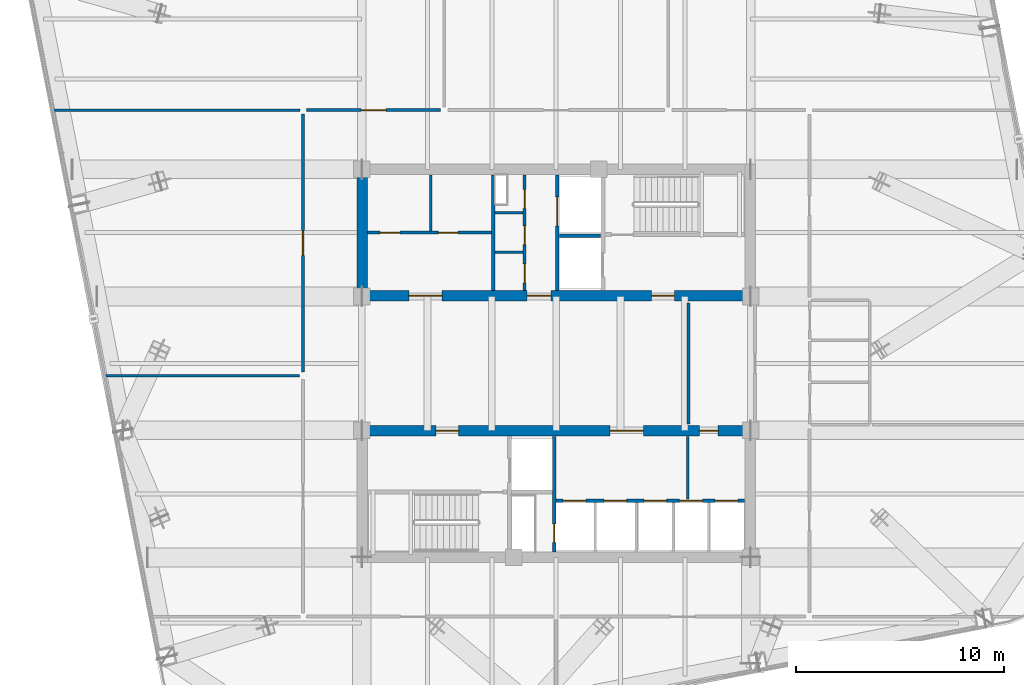
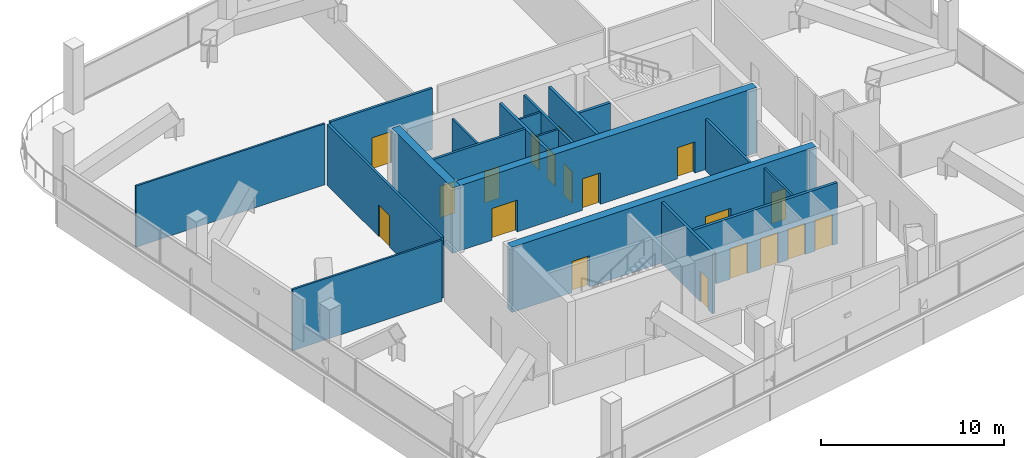
# One storey, part 21 of 26: 20 doors, 19 walls, 20 openings.
"""IFC4 building model written with IfcOpenShell, lengths in metres."""

from ifc_helpers import new_model, si_unit, direction, frame, frame_2d, origin, place, context, subcontext, project, spatial, rectangle, extrude, material, layer, layer_set, type_object, element, fill, save


model = new_model("IFC4")

# Units and contexts
model_context = context("Model", 3, precision=1e-05, world=origin(), true_north=direction((0.0, 1.0)))
body_context = subcontext(model_context, "Body", "Model", "MODEL_VIEW")
ifc_project = project(units=[si_unit("LENGTHUNIT", "METRE"), si_unit("AREAUNIT", "SQUARE_METRE"), si_unit("VOLUMEUNIT", "CUBIC_METRE"), si_unit("PLANEANGLEUNIT", "RADIAN"), si_unit("MASSUNIT", "GRAM", prefix="KILO")], contexts=[model_context])

# Site, building, storey
site_placement = place(None, origin())
site = spatial("IfcSite", under=ifc_project, at=site_placement, CompositionType="ELEMENT")
building_placement = place(site_placement, origin())
building = spatial("IfcBuilding", under=site, at=building_placement, Name="Qhalaya Broadcast Tower", CompositionType="ELEMENT")
storey_placement = place(building_placement, frame((0.0, 0.0, 140.25)))
storey = spatial("IfcBuildingStorey", under=building, at=storey_placement, Name="L41", CompositionType="ELEMENT", Elevation=140.25)

# Wall, openings, doors
ifc_material_1 = material(Name="Gypsum Acoustic Partition")
ifc_layer_1 = layer(ifc_material_1, 0.14990234375, Name="Gypsum Acoustic Partition")
ifc_layer_set_1 = layer_set([ifc_layer_1], Name="Gypsum Acoustic Partition")
wall_type_1 = type_object("IfcWallType", Name="Corridor & Tenancy Acoustic Partition 150", PredefinedType="PARTITIONING", material=ifc_layer_set_1)
wall_1_placement = place(storey_placement, frame((-1.52001953125, 4.1201171875, 0.0), z_axis=(0.0, 0.0, 1.0), x_axis=(0.0, 1.0, 0.0)))
wall_1 = element("IfcWall", 1, at=wall_1_placement, inside=storey, type_object=wall_type_1, Name="L41 Partition Wall NCW-SVL", PredefinedType="PARTITIONING", context=body_context, shape_type="SweptSolid", body=[
    extrude(rectangle(XDim=5.559814453125, YDim=0.14990234375, at=frame_2d((2.77978515625, 0.0))), origin(), (0.0, 0.0, 1.0), 4.070068359375),
])
opening_1_placement = place(wall_1_placement, frame((3.949951171875, 0.0, 0.0)))
opening_1 = element("IfcOpeningElement", 2, at=opening_1_placement, cuts=wall_1, Name="Opening D06", PredefinedType="OPENING", context=body_context, shape_type="SweptSolid", body=[
    extrude(rectangle(XDim=0.89990234375, YDim=2.050048828125, at=frame_2d((0.449951171875, 1.02490234375))), frame((0.0, 0.0869140625, 0.0), z_axis=(0.0, -1.0, 0.0), x_axis=(1.0, 0.0, 0.0)), (0.0, 0.0, 1.0), 0.173828125),
])
opening_2_placement = place(wall_1_placement, frame((2.199951171875, 0.0, 0.0)))
opening_2 = element("IfcOpeningElement", 3, at=opening_2_placement, cuts=wall_1, Name="Opening D06", PredefinedType="OPENING", context=body_context, shape_type="SweptSolid", body=[
    extrude(rectangle(XDim=0.89990234375, YDim=2.050048828125, at=frame_2d((0.449951171875, 1.02490234375))), frame((0.0, 0.0869140625, 0.0), z_axis=(0.0, -1.0, 0.0), x_axis=(1.0, 0.0, 0.0)), (0.0, 0.0, 1.0), 0.173828125),
])
opening_3_placement = place(wall_1_placement, frame((0.35009765625, 0.0, 0.0)))
opening_3 = element("IfcOpeningElement", 4, at=opening_3_placement, cuts=wall_1, Name="Opening D12", PredefinedType="OPENING", context=body_context, shape_type="SweptSolid", body=[
    extrude(rectangle(XDim=0.919921875, YDim=2.10009765625, at=frame_2d((0.4599609375, 1.050048828125))), frame((0.0, 0.0869140625, 0.0), z_axis=(0.0, -1.0, 0.0), x_axis=(1.0, 0.0, 0.0)), (0.0, 0.0, 1.0), 0.173828125),
])
ifc_material_2 = material(Name="Timber Veneer Acoustic Door", Category="wood")
door_type_1 = type_object("IfcDoorType", Name="Accessible WC & Restroom Door D12", OperationType="NOTDEFINED", PredefinedType="DOOR", material=ifc_material_2)
door_1_placement = place(opening_3_placement, origin())
door_1 = element("IfcDoor", 5, at=door_1_placement, inside=storey, type_object=door_type_1, Name="L41 Door D-NCWC", OperationType="SINGLE_SWING_RIGHT", OverallHeight=2.10009765625, OverallWidth=0.919921875, PredefinedType="DOOR", context=body_context, shape_type="SweptSolid", body=[
    extrude(rectangle(XDim=0.919921875, YDim=2.10009765625, at=frame_2d((0.4599609375, 1.050048828125))), frame((0.0, 0.02490234375, 0.0), z_axis=(0.0, -1.0, 0.0), x_axis=(1.0, 0.0, 0.0)), (0.0, 0.0, 1.0), 0.050048828125),
])
fill(opening_3, door_1)
ifc_material_3 = material(Name="Fire-Rated Steel Door", Category="steel")
door_type_2 = type_object("IfcDoorType", Name="Riser & Electrical Shaft Access Door D06", OperationType="NOTDEFINED", PredefinedType="DOOR", material=ifc_material_3)
door_2_placement = place(opening_1_placement, origin())
door_2 = element("IfcDoor", 6, at=door_2_placement, inside=storey, type_object=door_type_2, Name="L41 Riser Shaft Access Door D-NRSR", OperationType="SINGLE_SWING_RIGHT", OverallHeight=2.050048828125, OverallWidth=0.89990234375, PredefinedType="DOOR", context=body_context, shape_type="SweptSolid", body=[
    extrude(rectangle(XDim=0.89990234375, YDim=2.050048828125, at=frame_2d((0.449951171875, 1.02490234375))), frame((0.0, 0.02490234375, 0.0), z_axis=(0.0, -1.0, 0.0), x_axis=(1.0, 0.0, 0.0)), (0.0, 0.0, 1.0), 0.050048828125),
])
fill(opening_1, door_2)
door_3_placement = place(opening_2_placement, origin())
door_3 = element("IfcDoor", 7, at=door_3_placement, inside=storey, type_object=door_type_2, Name="L41 Door D-NITR", OperationType="SINGLE_SWING_LEFT", OverallHeight=2.050048828125, OverallWidth=0.89990234375, PredefinedType="DOOR", context=body_context, shape_type="SweptSolid", body=[
    extrude(rectangle(XDim=0.89990234375, YDim=2.050048828125, at=frame_2d((0.449951171875, 1.02490234375))), frame((0.0, 0.02490234375, 0.0), z_axis=(0.0, -1.0, 0.0), x_axis=(1.0, 0.0, 0.0)), (0.0, 0.0, 1.0), 0.050048828125),
])
fill(opening_2, door_3)

wall_2_placement = place(storey_placement, frame((-9.080078125, 6.89990234375, 0.0), z_axis=(0.0, 0.0, 1.0), x_axis=(1.0, 0.0, 0.0)))
wall_2 = element("IfcWall", 8, at=wall_2_placement, inside=storey, type_object=wall_type_1, Name="L41 Partition Wall NCW-REC1", PredefinedType="PARTITIONING", context=body_context, shape_type="SweptSolid", body=[
    extrude(rectangle(XDim=5.9599609375, YDim=0.14990234375, at=frame_2d((2.97998046875, 0.0))), origin(), (0.0, 0.0, 1.0), 4.070068359375),
])
opening_4_placement = place(wall_2_placement, frame((0.60009765625, 0.0, 0.0)))
opening_4 = element("IfcOpeningElement", 9, at=opening_4_placement, cuts=wall_2, Name="Opening D10", PredefinedType="OPENING", context=body_context, shape_type="SweptSolid", body=[
    extrude(rectangle(XDim=0.949951171875, YDim=2.10009765625, at=frame_2d((0.47509765625, 1.050048828125))), frame((0.0, 0.0869140625, 0.0), z_axis=(0.0, -1.0, 0.0), x_axis=(1.0, 0.0, 0.0)), (0.0, 0.0, 1.0), 0.173828125),
])
opening_5_placement = place(wall_2_placement, frame((3.39990234375, 0.0, 0.0)))
opening_5 = element("IfcOpeningElement", 10, at=opening_5_placement, cuts=wall_2, Name="Opening D10", PredefinedType="OPENING", context=body_context, shape_type="SweptSolid", body=[
    extrude(rectangle(XDim=0.949951171875, YDim=2.10009765625, at=frame_2d((0.47509765625, 1.050048828125))), frame((0.0, 0.0869140625, 0.0), z_axis=(0.0, -1.0, 0.0), x_axis=(1.0, 0.0, 0.0)), (0.0, 0.0, 1.0), 0.173828125),
])
door_type_3 = type_object("IfcDoorType", Name="Cellular Office & Edit Booth Door D10", OperationType="NOTDEFINED", PredefinedType="DOOR", material=ifc_material_2)
door_4_placement = place(opening_4_placement, origin())
door_4 = element("IfcDoor", 11, at=door_4_placement, inside=storey, type_object=door_type_3, Name="L41 Door D-NREC1", OperationType="SINGLE_SWING_LEFT", OverallHeight=2.10009765625, OverallWidth=0.949951171875, PredefinedType="DOOR", context=body_context, shape_type="SweptSolid", body=[
    extrude(rectangle(XDim=0.949951171875, YDim=2.10009765625, at=frame_2d((0.47509765625, 1.050048828125))), frame((0.0, 0.02490234375, 0.0), z_axis=(0.0, -1.0, 0.0), x_axis=(1.0, 0.0, 0.0)), (0.0, 0.0, 1.0), 0.050048828125),
])
fill(opening_4, door_4)
door_5_placement = place(opening_5_placement, origin())
door_5 = element("IfcDoor", 12, at=door_5_placement, inside=storey, type_object=door_type_3, Name="L41 Door D-NREC2", OperationType="SINGLE_SWING_RIGHT", OverallHeight=2.10009765625, OverallWidth=0.949951171875, PredefinedType="DOOR", context=body_context, shape_type="SweptSolid", body=[
    extrude(rectangle(XDim=0.949951171875, YDim=2.10009765625, at=frame_2d((0.47509765625, 1.050048828125))), frame((0.0, 0.02490234375, 0.0), z_axis=(0.0, -1.0, 0.0), x_axis=(1.0, 0.0, 0.0)), (0.0, 0.0, 1.0), 0.050048828125),
])
fill(opening_5, door_5)

# Wall
wall_3_placement = place(storey_placement, frame((6.3798828125, -2.320068359375, 0.0), z_axis=(0.0, 0.0, 1.0), x_axis=(0.0, 1.0, 0.0)))
element("IfcWall", 13, at=wall_3_placement, inside=storey, type_object=wall_type_1, Name="L41 Partition Wall W-ICHW", PredefinedType="PARTITIONING", context=body_context, shape_type="SweptSolid", body=[
    extrude(rectangle(XDim=5.840087890625, YDim=0.14990234375, at=frame_2d((2.919921875, 0.0))), origin(), (0.0, 0.0, 1.0), 3.43798828125),
])

# Wall, opening, door
wall_4_placement = place(storey_placement, frame((-12.02001953125, 12.800048828125, 0.0), z_axis=(0.0, 0.0, 1.0), x_axis=(1.0, 0.0, 0.0)))
wall_4 = element("IfcWall", 14, at=wall_4_placement, inside=storey, type_object=wall_type_1, Name="L41 Partition Wall W-COR-01", PredefinedType="PARTITIONING", context=body_context, shape_type="SweptSolid", body=[
    extrude(rectangle(XDim=6.43994140625, YDim=0.14990234375, at=frame_2d((3.219970703125, 0.0))), origin(), (0.0, 0.0, 1.0), 4.070068359375),
])
opening_6_placement = place(wall_4_placement, frame((2.6201171875, 0.0, 0.0)))
opening_6 = element("IfcOpeningElement", 15, at=opening_6_placement, cuts=wall_4, Name="Opening D11", PredefinedType="OPENING", context=body_context, shape_type="SweptSolid", body=[
    extrude(rectangle(XDim=1.199951171875, YDim=2.10009765625, at=frame_2d((0.60009765625, 1.050048828125))), frame((0.0, 0.0869140625, 0.0), z_axis=(0.0, -1.0, 0.0), x_axis=(1.0, 0.0, 0.0)), (0.0, 0.0, 1.0), 0.173828125),
])
ifc_material_4 = material(Name="Anodised Aluminium Glazed Door", Category="aluminium")
door_type_4 = type_object("IfcDoorType", Name="Conference, Boardroom & Studio Control Door D11", OperationType="NOTDEFINED", PredefinedType="DOOR", material=ifc_material_4)
door_6_placement = place(opening_6_placement, origin())
door_6 = element("IfcDoor", 16, at=door_6_placement, inside=storey, type_object=door_type_4, Name="L41 Door D-RM01", OperationType="SINGLE_SWING_LEFT", OverallHeight=2.10009765625, OverallWidth=1.199951171875, PredefinedType="DOOR", context=body_context, shape_type="SweptSolid", body=[
    extrude(rectangle(XDim=1.199951171875, YDim=2.10009765625, at=frame_2d((0.60009765625, 1.050048828125))), frame((0.0, 0.02490234375, 0.0), z_axis=(0.0, -1.0, 0.0), x_axis=(1.0, 0.0, 0.0)), (0.0, 0.0, 1.0), 0.050048828125),
])
fill(opening_6, door_6)

wall_5_placement = place(storey_placement, frame((-12.199951171875, 0.179931640625, 0.0), z_axis=(0.0, 0.0, 1.0), x_axis=(0.0, 1.0, 0.0)))
wall_5 = element("IfcWall", 17, at=wall_5_placement, inside=storey, type_object=wall_type_1, Name="L41 Partition Wall W-COR-07", PredefinedType="PARTITIONING", context=body_context, shape_type="SweptSolid", body=[
    extrude(rectangle(XDim=12.440185546875, YDim=0.14990234375, at=frame_2d((6.22021484375, 0.0))), origin(), (0.0, 0.0, 1.0), 4.070068359375),
])
opening_7_placement = place(wall_5_placement, frame((5.6201171875, 0.0, 0.0)))
opening_7 = element("IfcOpeningElement", 18, at=opening_7_placement, cuts=wall_5, Name="Opening D11", PredefinedType="OPENING", context=body_context, shape_type="SweptSolid", body=[
    extrude(rectangle(XDim=1.199951171875, YDim=2.10009765625, at=frame_2d((0.60009765625, 1.050048828125))), frame((0.0, 0.0869140625, 0.0), z_axis=(0.0, -1.0, 0.0), x_axis=(1.0, 0.0, 0.0)), (0.0, 0.0, 1.0), 0.173828125),
])
door_7_placement = place(opening_7_placement, origin())
door_7 = element("IfcDoor", 19, at=door_7_placement, inside=storey, type_object=door_type_4, Name="L41 Door D-RM07", OperationType="SINGLE_SWING_LEFT", OverallHeight=2.10009765625, OverallWidth=1.199951171875, PredefinedType="DOOR", context=body_context, shape_type="SweptSolid", body=[
    extrude(rectangle(XDim=1.199951171875, YDim=2.10009765625, at=frame_2d((0.60009765625, 1.050048828125))), frame((0.0, 0.02490234375, 0.0), z_axis=(0.0, -1.0, 0.0), x_axis=(1.0, 0.0, 0.0)), (0.0, 0.0, 1.0), 0.050048828125),
])
fill(opening_7, door_7)

# Wall, openings, doors
ifc_material_5 = material(Name="Concrete C50/60", Category="concrete")
ifc_layer_2 = layer(ifc_material_5, 0.5, Name="Concrete C50/60")
ifc_layer_set_2 = layer_set([ifc_layer_2], Name="Concrete C50/60")
wall_type_2 = type_object("IfcWallType", Name="Mid Split-Core Shear Wall 500", PredefinedType="SHEAR", material=ifc_layer_set_2)
wall_6_placement = place(storey_placement, frame((-9.60009765625, 3.85009765625, 0.0), z_axis=(0.0, 0.0, 1.0), x_axis=(1.0, 0.0, 0.0)))
wall_6 = element("IfcWall", 20, at=wall_6_placement, inside=storey, type_object=wall_type_2, Name="L41 Split-Core Shear Wall CW-NS", PredefinedType="SHEAR", context=body_context, shape_type="SweptSolid", body=[
    extrude(rectangle(XDim=19.2001953125, YDim=0.5, at=frame_2d((9.60009765625, 0.0))), origin(), (0.0, 0.0, 1.0), 4.35009765625),
])
opening_8_placement = place(wall_6_placement, frame((14.199951171875, 0.0, 0.0)))
opening_8 = element("IfcOpeningElement", 21, at=opening_8_placement, cuts=wall_6, Name="Opening D04", PredefinedType="OPENING", context=body_context, shape_type="SweptSolid", body=[
    extrude(rectangle(XDim=1.10009765625, YDim=2.080078125, at=frame_2d((0.550048828125, 1.0400390625))), frame((0.0, 0.261962890625, 0.0), z_axis=(0.0, -1.0, 0.0), x_axis=(1.0, 0.0, 0.0)), (0.0, 0.0, 1.0), 0.52392578125),
])
opening_9_placement = place(wall_6_placement, frame((8.199951171875, 0.0, 0.0)))
opening_9 = element("IfcOpeningElement", 22, at=opening_9_placement, cuts=wall_6, Name="Opening D05", PredefinedType="OPENING", context=body_context, shape_type="SweptSolid", body=[
    extrude(rectangle(XDim=1.14990234375, YDim=2.10009765625, at=frame_2d((0.574951171875, 1.050048828125))), frame((0.0, 0.261962890625, 0.0), z_axis=(0.0, -1.0, 0.0), x_axis=(1.0, 0.0, 0.0)), (0.0, 0.0, 1.0), 0.52392578125),
])
opening_10_placement = place(wall_6_placement, frame((2.5, 0.0, 0.0)))
opening_10 = element("IfcOpeningElement", 23, at=opening_10_placement, cuts=wall_6, Name="Opening D07", PredefinedType="OPENING", context=body_context, shape_type="SweptSolid", body=[
    extrude(rectangle(XDim=1.60009765625, YDim=2.1201171875, at=frame_2d((0.800048828125, 1.06005859375))), frame((0.0, 0.261962890625, 0.0), z_axis=(0.0, -1.0, 0.0), x_axis=(1.0, 0.0, 0.0)), (0.0, 0.0, 1.0), 0.52392578125),
])
door_type_5 = type_object("IfcDoorType", Name="Firefighting Lobby Rated Door D04", OperationType="NOTDEFINED", PredefinedType="DOOR", material=ifc_material_3)
door_8_placement = place(opening_8_placement, origin())
door_8 = element("IfcDoor", 24, at=door_8_placement, inside=storey, type_object=door_type_5, Name="L41 Door D-NFF", OperationType="SINGLE_SWING_RIGHT", OverallHeight=2.080078125, OverallWidth=1.10009765625, PredefinedType="DOOR", context=body_context, shape_type="SweptSolid", body=[
    extrude(rectangle(XDim=1.10009765625, YDim=2.080078125, at=frame_2d((0.550048828125, 1.0400390625))), frame((0.0, 0.02490234375, 0.0), z_axis=(0.0, -1.0, 0.0), x_axis=(1.0, 0.0, 0.0)), (0.0, 0.0, 1.0), 0.050048828125),
])
fill(opening_8, door_8)
door_type_6 = type_object("IfcDoorType", Name="Passenger Lift Lobby Double Glazed Door D07", OperationType="DOUBLE_DOOR_SINGLE_SWING", PredefinedType="DOOR", material=ifc_material_4)
door_9_placement = place(opening_10_placement, origin())
door_9 = element("IfcDoor", 25, at=door_9_placement, inside=storey, type_object=door_type_6, Name="L41 Door D-NRECV", OperationType="DOUBLE_DOOR_SINGLE_SWING", OverallHeight=2.1201171875, OverallWidth=1.60009765625, PredefinedType="DOOR", context=body_context, shape_type="SweptSolid", body=[
    extrude(rectangle(XDim=1.60009765625, YDim=2.1201171875, at=frame_2d((0.800048828125, 1.06005859375))), frame((0.0, 0.02490234375, 0.0), z_axis=(0.0, -1.0, 0.0), x_axis=(1.0, 0.0, 0.0)), (0.0, 0.0, 1.0), 0.050048828125),
])
fill(opening_10, door_9)
door_type_7 = type_object("IfcDoorType", Name="Refuge & Plant Room Fire Door D05", OperationType="NOTDEFINED", PredefinedType="DOOR", material=ifc_material_3)
door_10_placement = place(opening_9_placement, origin())
door_10 = element("IfcDoor", 26, at=door_10_placement, inside=storey, type_object=door_type_7, Name="L41 Door D-NSVL", OperationType="SINGLE_SWING_LEFT", OverallHeight=2.10009765625, OverallWidth=1.14990234375, PredefinedType="DOOR", context=body_context, shape_type="SweptSolid", body=[
    extrude(rectangle(XDim=1.14990234375, YDim=2.10009765625, at=frame_2d((0.574951171875, 1.050048828125))), frame((0.0, 0.02490234375, 0.0), z_axis=(0.0, -1.0, 0.0), x_axis=(1.0, 0.0, 0.0)), (0.0, 0.0, 1.0), 0.050048828125),
])
fill(opening_9, door_10)

# Wall
wall_7_placement = place(storey_placement, frame((-9.35009765625, 3.60009765625, 0.0), z_axis=(0.0, 0.0, 1.0), x_axis=(0.0, 1.0, 0.0)))
element("IfcWall", 27, at=wall_7_placement, inside=storey, type_object=wall_type_2, Name="L41 Split-Core Shear Wall CW-NW", PredefinedType="SHEAR", context=body_context, shape_type="SweptSolid", body=[
    extrude(rectangle(XDim=6.599853515625, YDim=0.5, at=frame_2d((3.2998046875, 0.0))), origin(), (0.0, 0.0, 1.0), 4.35009765625),
])

# Wall, openings, doors
wall_8_placement = place(storey_placement, frame((-9.60009765625, -2.64990234375, 0.0), z_axis=(0.0, 0.0, 1.0), x_axis=(1.0, 0.0, 0.0)))
wall_8 = element("IfcWall", 28, at=wall_8_placement, inside=storey, type_object=wall_type_2, Name="L41 Split-Core Shear Wall CW-SN", PredefinedType="SHEAR", context=body_context, shape_type="SweptSolid", body=[
    extrude(rectangle(XDim=19.2001953125, YDim=0.5, at=frame_2d((9.60009765625, 0.0))), origin(), (0.0, 0.0, 1.0), 4.35009765625),
])
opening_11_placement = place(wall_8_placement, frame((3.800048828125, 0.0, 0.0)))
opening_11 = element("IfcOpeningElement", 29, at=opening_11_placement, cuts=wall_8, Name="Opening D04", PredefinedType="OPENING", context=body_context, shape_type="SweptSolid", body=[
    extrude(rectangle(XDim=1.10009765625, YDim=2.080078125, at=frame_2d((0.550048828125, 1.0400390625))), frame((0.0, 0.261962890625, 0.0), z_axis=(0.0, -1.0, 0.0), x_axis=(1.0, 0.0, 0.0)), (0.0, 0.0, 1.0), 0.52392578125),
])
opening_12_placement = place(wall_8_placement, frame((12.199951171875, 0.0, 0.0)))
opening_12 = element("IfcOpeningElement", 30, at=opening_12_placement, cuts=wall_8, Name="Opening D07", PredefinedType="OPENING", context=body_context, shape_type="SweptSolid", body=[
    extrude(rectangle(XDim=1.60009765625, YDim=2.1201171875, at=frame_2d((0.800048828125, 1.06005859375))), frame((0.0, 0.261962890625, 0.0), z_axis=(0.0, -1.0, 0.0), x_axis=(1.0, 0.0, 0.0)), (0.0, 0.0, 1.0), 0.52392578125),
])
opening_13_placement = place(wall_8_placement, frame((16.5, 0.0, 0.0)))
opening_13 = element("IfcOpeningElement", 31, at=opening_13_placement, cuts=wall_8, Name="Opening D06", PredefinedType="OPENING", context=body_context, shape_type="SweptSolid", body=[
    extrude(rectangle(XDim=0.89990234375, YDim=2.050048828125, at=frame_2d((0.449951171875, 1.02490234375))), frame((0.0, 0.261962890625, 0.0), z_axis=(0.0, -1.0, 0.0), x_axis=(1.0, 0.0, 0.0)), (0.0, 0.0, 1.0), 0.52392578125),
])
door_11_placement = place(opening_11_placement, origin())
door_11 = element("IfcDoor", 32, at=door_11_placement, inside=storey, type_object=door_type_5, Name="L41 Door D-SFF", OperationType="SINGLE_SWING_LEFT", OverallHeight=2.080078125, OverallWidth=1.10009765625, PredefinedType="DOOR", context=body_context, shape_type="SweptSolid", body=[
    extrude(rectangle(XDim=1.10009765625, YDim=2.080078125, at=frame_2d((0.550048828125, 1.0400390625))), frame((0.0, 0.02490234375, 0.0), z_axis=(0.0, -1.0, 0.0), x_axis=(1.0, 0.0, 0.0)), (0.0, 0.0, 1.0), 0.050048828125),
])
fill(opening_11, door_11)
door_12_placement = place(opening_12_placement, origin())
door_12 = element("IfcDoor", 33, at=door_12_placement, inside=storey, type_object=door_type_6, Name="L41 Door D-SPLL", OperationType="DOUBLE_DOOR_SINGLE_SWING", OverallHeight=2.1201171875, OverallWidth=1.60009765625, PredefinedType="DOOR", context=body_context, shape_type="SweptSolid", body=[
    extrude(rectangle(XDim=1.60009765625, YDim=2.1201171875, at=frame_2d((0.800048828125, 1.06005859375))), frame((0.0, 0.02490234375, 0.0), z_axis=(0.0, -1.0, 0.0), x_axis=(1.0, 0.0, 0.0)), (0.0, 0.0, 1.0), 0.050048828125),
])
fill(opening_12, door_12)
door_13_placement = place(opening_13_placement, origin())
door_13 = element("IfcDoor", 34, at=door_13_placement, inside=storey, type_object=door_type_2, Name="L41 Door D-SSCST", OperationType="SINGLE_SWING_LEFT", OverallHeight=2.050048828125, OverallWidth=0.89990234375, PredefinedType="DOOR", context=body_context, shape_type="SweptSolid", body=[
    extrude(rectangle(XDim=0.89990234375, YDim=2.050048828125, at=frame_2d((0.449951171875, 1.02490234375))), frame((0.0, 0.02490234375, 0.0), z_axis=(0.0, -1.0, 0.0), x_axis=(1.0, 0.0, 0.0)), (0.0, 0.0, 1.0), 0.050048828125),
])
fill(opening_13, door_13)

# Walls
ifc_layer_3 = layer(ifc_material_1, 0.1201171875, Name="Gypsum Acoustic Partition")
ifc_layer_set_3 = layer_set([ifc_layer_3], Name="Gypsum Acoustic Partition")
wall_type_3 = type_object("IfcWallType", Name="Office, Booth & Sanitary Partition 120", PredefinedType="PARTITIONING", material=ifc_layer_set_3)
for number, where, z_axis, x_axis, name in (
    (35, (-2.9599609375, 5.949951171875, 0.0), (0.0, 0.0, 1.0), (1.0, 0.0, 0.0), "L41 Partition Wall NCW-VB1"),
    (36, (-2.9599609375, 7.85009765625, 0.0), (0.0, 0.0, 1.0), (1.0, 0.0, 0.0), "L41 Partition Wall NCW-VB2"),
):
    element("IfcWall", number, at=place(storey_placement, frame(where, z_axis=z_axis, x_axis=x_axis)), inside=storey, type_object=wall_type_3, Name=name, PredefinedType="PARTITIONING", context=body_context, shape_type="SweptSolid", body=[
        extrude(rectangle(XDim=1.35986328125, YDim=0.1201171875, at=frame_2d((0.679931640625, 0.0))), origin(), (0.0, 0.0, 1.0), 4.070068359375),
    ])
wall_9_placement = place(storey_placement, frame((-6.050048828125, 6.97998046875, 0.0), z_axis=(0.0, 0.0, 1.0), x_axis=(0.0, 1.0, 0.0)))
element("IfcWall", 37, at=wall_9_placement, inside=storey, type_object=wall_type_3, Name="L41 Partition Wall NCW-REC2", PredefinedType="PARTITIONING", context=body_context, shape_type="SweptSolid", body=[
    extrude(rectangle(XDim=2.699951171875, YDim=0.1201171875, at=frame_2d((1.35009765625, 0.0))), origin(), (0.0, 0.0, 1.0), 4.070068359375),
])
wall_10_placement = place(storey_placement, frame((6.35009765625, -5.93994140625, 0.0), z_axis=(0.0, 0.0, 1.0), x_axis=(0.0, 1.0, 0.0)))
element("IfcWall", 38, at=wall_10_placement, inside=storey, type_object=wall_type_3, Name="L41 Partition Wall SCW-LKB", PredefinedType="PARTITIONING", context=body_context, shape_type="SweptSolid", body=[
    extrude(rectangle(XDim=3.02001953125, YDim=0.1201171875, at=frame_2d((1.510009765625, 0.0))), origin(), (0.0, 0.0, 1.0), 4.070068359375),
])
wall_11_placement = place(storey_placement, frame((-24.267333984375, 12.800048828125, 0.0), z_axis=(0.0, 0.0, 1.0), x_axis=(1.0, 0.0, 0.0)))
element("IfcWall", 39, at=wall_11_placement, inside=storey, type_object=wall_type_3, Name="L41 Partition Wall W-BNDW1", PredefinedType="PARTITIONING", context=body_context, shape_type="SweptSolid", body=[
    extrude(rectangle(XDim=11.92724609375, YDim=0.1201171875, at=frame_2d((5.963623046875, 0.0))), origin(), (0.0, 0.0, 1.0), 4.070068359375),
])
wall_12_placement = place(storey_placement, frame((-21.779296875, 0.0, 0.0), z_axis=(0.0, 0.0, 1.0), x_axis=(1.0, 0.0, 0.0)))
element("IfcWall", 40, at=wall_12_placement, inside=storey, type_object=wall_type_3, Name="L41 Partition Wall W-DIVW1", PredefinedType="PARTITIONING", context=body_context, shape_type="SweptSolid", body=[
    extrude(rectangle(XDim=9.419189453125, YDim=0.1201171875, at=frame_2d((4.70947265625, 0.0))), origin(), (0.0, 0.0, 1.0), 4.070068359375),
])

# Wall, opening, door
ifc_layer_4 = layer(ifc_material_1, 0.175048828125, Name="Gypsum Acoustic Partition")
ifc_layer_set_4 = layer_set([ifc_layer_4], Name="Gypsum Acoustic Partition")
wall_type_4 = type_object("IfcWallType", Name="Shaft & Riser Fire Partition 175", PredefinedType="PARTITIONING", material=ifc_layer_set_4)
wall_13_placement = place(storey_placement, frame((0.06005859375, 4.1201171875, 0.0), z_axis=(0.0, 0.0, 1.0), x_axis=(0.0, 1.0, 0.0)))
wall_13 = element("IfcWall", 41, at=wall_13_placement, inside=storey, type_object=wall_type_4, Name="L41 Partition Wall NCW-SVW", PredefinedType="PARTITIONING", context=body_context, shape_type="SweptSolid", body=[
    extrude(rectangle(XDim=5.559814453125, YDim=0.175048828125, at=frame_2d((2.77978515625, 0.0))), origin(), (0.0, 0.0, 1.0), 4.070068359375),
])
opening_14_placement = place(wall_13_placement, frame((3.10009765625, 0.0, 0.0)))
opening_14 = element("IfcOpeningElement", 42, at=opening_14_placement, cuts=wall_13, Name="Opening LD3", PredefinedType="OPENING", context=body_context, shape_type="SweptSolid", body=[
    extrude(rectangle(XDim=1.39990234375, YDim=2.1201171875, at=frame_2d((0.699951171875, 1.06005859375))), frame((0.0, 0.099609375, 0.0), z_axis=(0.0, -1.0, 0.0), x_axis=(1.0, 0.0, 0.0)), (0.0, 0.0, 1.0), 0.198974609375),
])
ifc_material_6 = material(Name="Brushed Stainless Steel Lift Door", Category="steel")
door_type_8 = type_object("IfcDoorType", Name="Service Lift Wide Sliding Landing Door LD3", OperationType="DOUBLE_DOOR_SLIDING", PredefinedType="DOOR", material=ifc_material_6)
door_14_placement = place(opening_14_placement, origin())
door_14 = element("IfcDoor", 43, at=door_14_placement, inside=storey, type_object=door_type_8, Name="L41 Door LD-SV1", OperationType="DOUBLE_DOOR_SLIDING", OverallHeight=2.1201171875, OverallWidth=1.39990234375, PredefinedType="DOOR", context=body_context, shape_type="SweptSolid", body=[
    extrude(rectangle(XDim=1.39990234375, YDim=2.1201171875, at=frame_2d((0.699951171875, 1.06005859375))), frame((0.0, 0.02490234375, 0.0), z_axis=(0.0, -1.0, 0.0), x_axis=(1.0, 0.0, 0.0)), (0.0, 0.0, 1.0), 0.050048828125),
])
fill(opening_14, door_14)

# Walls
wall_14_placement = place(storey_placement, frame((0.159912109375, 6.75, 0.0), z_axis=(0.0, 0.0, 1.0), x_axis=(1.0, 0.0, 0.0)))
element("IfcWall", 44, at=wall_14_placement, inside=storey, type_object=wall_type_4, Name="L41 Partition Wall NCW-SVM", PredefinedType="PARTITIONING", context=body_context, shape_type="SweptSolid", body=[
    extrude(rectangle(XDim=1.97998046875, YDim=0.175048828125, at=frame_2d((0.989990234375, 0.0))), origin(), (0.0, 0.0, 1.0), 4.070068359375),
])
wall_15_placement = place(storey_placement, frame((-3.0400390625, 4.1201171875, 0.0), z_axis=(0.0, 0.0, 1.0), x_axis=(0.0, 1.0, 0.0)))
element("IfcWall", 45, at=wall_15_placement, inside=storey, type_object=wall_type_4, Name="L41 Partition Wall NCW-VRW", PredefinedType="PARTITIONING", context=body_context, shape_type="SweptSolid", body=[
    extrude(rectangle(XDim=5.559814453125, YDim=0.175048828125, at=frame_2d((2.77978515625, 0.0))), origin(), (0.0, 0.0, 1.0), 4.070068359375),
])

# Wall, opening, door
wall_16_placement = place(storey_placement, frame((-0.10009765625, -8.47998046875, 0.0), z_axis=(0.0, 0.0, 1.0), x_axis=(0.0, 1.0, 0.0)))
wall_16 = element("IfcWall", 46, at=wall_16_placement, inside=storey, type_object=wall_type_4, Name="L41 Partition Wall SCW-FFE", PredefinedType="PARTITIONING", context=body_context, shape_type="SweptSolid", body=[
    extrude(rectangle(XDim=5.56005859375, YDim=0.175048828125, at=frame_2d((2.780029296875, 0.0))), origin(), (0.0, 0.0, 1.0), 4.070068359375),
])
opening_15_placement = place(wall_16_placement, frame((0.449951171875, 0.0, 0.0)))
opening_15 = element("IfcOpeningElement", 47, at=opening_15_placement, cuts=wall_16, Name="Opening D06", PredefinedType="OPENING", context=body_context, shape_type="SweptSolid", body=[
    extrude(rectangle(XDim=0.89990234375, YDim=2.050048828125, at=frame_2d((0.449951171875, 1.02490234375))), frame((0.0, 0.099609375, 0.0), z_axis=(0.0, -1.0, 0.0), x_axis=(1.0, 0.0, 0.0)), (0.0, 0.0, 1.0), 0.198974609375),
])
door_15_placement = place(opening_15_placement, origin())
door_15 = element("IfcDoor", 48, at=door_15_placement, inside=storey, type_object=door_type_2, Name="L41 Riser Shaft Access Door D-SRSR", OperationType="SINGLE_SWING_LEFT", OverallHeight=2.050048828125, OverallWidth=0.89990234375, PredefinedType="DOOR", context=body_context, shape_type="SweptSolid", body=[
    extrude(rectangle(XDim=0.89990234375, YDim=2.050048828125, at=frame_2d((0.449951171875, 1.02490234375))), frame((0.0, 0.02490234375, 0.0), z_axis=(0.0, -1.0, 0.0), x_axis=(1.0, 0.0, 0.0)), (0.0, 0.0, 1.0), 0.050048828125),
])
fill(opening_15, door_15)

# Wall, openings, doors
wall_17_placement = place(storey_placement, frame((0.0, -6.02001953125, 0.0), z_axis=(0.0, 0.0, 1.0), x_axis=(1.0, 0.0, 0.0)))
wall_17 = element("IfcWall", 49, at=wall_17_placement, inside=storey, type_object=wall_type_4, Name="L41 Partition Wall SCW-SLB", PredefinedType="PARTITIONING", context=body_context, shape_type="SweptSolid", body=[
    extrude(rectangle(XDim=9.080078125, YDim=0.175048828125, at=frame_2d((4.5400390625, 0.0))), origin(), (0.0, 0.0, 1.0), 4.070068359375),
])
opening_16_placement = place(wall_17_placement, frame((0.330078125, 0.0, 0.0)))
opening_16 = element("IfcOpeningElement", 50, at=opening_16_placement, cuts=wall_17, Name="Opening LD1", PredefinedType="OPENING", context=body_context, shape_type="SweptSolid", body=[
    extrude(rectangle(XDim=1.10009765625, YDim=2.06005859375, at=frame_2d((0.550048828125, 1.030029296875))), frame((0.0, 0.099609375, 0.0), z_axis=(0.0, -1.0, 0.0), x_axis=(1.0, 0.0, 0.0)), (0.0, 0.0, 1.0), 0.198974609375),
])
opening_17_placement = place(wall_17_placement, frame((2.300048828125, 0.0, 0.0)))
opening_17 = element("IfcOpeningElement", 51, at=opening_17_placement, cuts=wall_17, Name="Opening LD1", PredefinedType="OPENING", context=body_context, shape_type="SweptSolid", body=[
    extrude(rectangle(XDim=1.10009765625, YDim=2.06005859375, at=frame_2d((0.550048828125, 1.030029296875))), frame((0.0, 0.099609375, 0.0), z_axis=(0.0, -1.0, 0.0), x_axis=(1.0, 0.0, 0.0)), (0.0, 0.0, 1.0), 0.198974609375),
])
opening_18_placement = place(wall_17_placement, frame((4.219970703125, 0.0, 0.0)))
opening_18 = element("IfcOpeningElement", 52, at=opening_18_placement, cuts=wall_17, Name="Opening LD1", PredefinedType="OPENING", context=body_context, shape_type="SweptSolid", body=[
    extrude(rectangle(XDim=1.10009765625, YDim=2.06005859375, at=frame_2d((0.550048828125, 1.030029296875))), frame((0.0, 0.099609375, 0.0), z_axis=(0.0, -1.0, 0.0), x_axis=(1.0, 0.0, 0.0)), (0.0, 0.0, 1.0), 0.198974609375),
])
opening_19_placement = place(wall_17_placement, frame((5.93994140625, 0.0, 0.0)))
opening_19 = element("IfcOpeningElement", 53, at=opening_19_placement, cuts=wall_17, Name="Opening LD1", PredefinedType="OPENING", context=body_context, shape_type="SweptSolid", body=[
    extrude(rectangle(XDim=1.10009765625, YDim=2.06005859375, at=frame_2d((0.550048828125, 1.030029296875))), frame((0.0, 0.099609375, 0.0), z_axis=(0.0, -1.0, 0.0), x_axis=(1.0, 0.0, 0.0)), (0.0, 0.0, 1.0), 0.198974609375),
])
opening_20_placement = place(wall_17_placement, frame((7.659912109375, 0.0, 0.0)))
opening_20 = element("IfcOpeningElement", 54, at=opening_20_placement, cuts=wall_17, Name="Opening LD1", PredefinedType="OPENING", context=body_context, shape_type="SweptSolid", body=[
    extrude(rectangle(XDim=1.10009765625, YDim=2.06005859375, at=frame_2d((0.550048828125, 1.030029296875))), frame((0.0, 0.099609375, 0.0), z_axis=(0.0, -1.0, 0.0), x_axis=(1.0, 0.0, 0.0)), (0.0, 0.0, 1.0), 0.198974609375),
])
door_type_9 = type_object("IfcDoorType", Name="Passenger Lift Sliding Landing Door LD1", OperationType="DOUBLE_DOOR_SLIDING", PredefinedType="DOOR", material=ifc_material_6)
door_16_placement = place(opening_16_placement, origin())
door_16 = element("IfcDoor", 55, at=door_16_placement, inside=storey, type_object=door_type_9, Name="L41 Door LD-P4", OperationType="DOUBLE_DOOR_SLIDING", OverallHeight=2.06005859375, OverallWidth=1.10009765625, PredefinedType="DOOR", context=body_context, shape_type="SweptSolid", body=[
    extrude(rectangle(XDim=1.10009765625, YDim=2.06005859375, at=frame_2d((0.550048828125, 1.030029296875))), frame((0.0, 0.02490234375, 0.0), z_axis=(0.0, -1.0, 0.0), x_axis=(1.0, 0.0, 0.0)), (0.0, 0.0, 1.0), 0.050048828125),
])
fill(opening_16, door_16)
door_17_placement = place(opening_17_placement, origin())
door_17 = element("IfcDoor", 56, at=door_17_placement, inside=storey, type_object=door_type_9, Name="L41 Door LD-P5", OperationType="DOUBLE_DOOR_SLIDING", OverallHeight=2.06005859375, OverallWidth=1.10009765625, PredefinedType="DOOR", context=body_context, shape_type="SweptSolid", body=[
    extrude(rectangle(XDim=1.10009765625, YDim=2.06005859375, at=frame_2d((0.550048828125, 1.030029296875))), frame((0.0, 0.02490234375, 0.0), z_axis=(0.0, -1.0, 0.0), x_axis=(1.0, 0.0, 0.0)), (0.0, 0.0, 1.0), 0.050048828125),
])
fill(opening_17, door_17)
door_18_placement = place(opening_18_placement, origin())
door_18 = element("IfcDoor", 57, at=door_18_placement, inside=storey, type_object=door_type_9, Name="L41 Door LD-P6", OperationType="DOUBLE_DOOR_SLIDING", OverallHeight=2.06005859375, OverallWidth=1.10009765625, PredefinedType="DOOR", context=body_context, shape_type="SweptSolid", body=[
    extrude(rectangle(XDim=1.10009765625, YDim=2.06005859375, at=frame_2d((0.550048828125, 1.030029296875))), frame((0.0, 0.02490234375, 0.0), z_axis=(0.0, -1.0, 0.0), x_axis=(1.0, 0.0, 0.0)), (0.0, 0.0, 1.0), 0.050048828125),
])
fill(opening_18, door_18)
door_19_placement = place(opening_19_placement, origin())
door_19 = element("IfcDoor", 58, at=door_19_placement, inside=storey, type_object=door_type_9, Name="L41 Door LD-P7", OperationType="DOUBLE_DOOR_SLIDING", OverallHeight=2.06005859375, OverallWidth=1.10009765625, PredefinedType="DOOR", context=body_context, shape_type="SweptSolid", body=[
    extrude(rectangle(XDim=1.10009765625, YDim=2.06005859375, at=frame_2d((0.550048828125, 1.030029296875))), frame((0.0, 0.02490234375, 0.0), z_axis=(0.0, -1.0, 0.0), x_axis=(1.0, 0.0, 0.0)), (0.0, 0.0, 1.0), 0.050048828125),
])
fill(opening_19, door_19)
door_20_placement = place(opening_20_placement, origin())
door_20 = element("IfcDoor", 59, at=door_20_placement, inside=storey, type_object=door_type_9, Name="L41 Door LD-P8", OperationType="DOUBLE_DOOR_SLIDING", OverallHeight=2.06005859375, OverallWidth=1.10009765625, PredefinedType="DOOR", context=body_context, shape_type="SweptSolid", body=[
    extrude(rectangle(XDim=1.10009765625, YDim=2.06005859375, at=frame_2d((0.550048828125, 1.030029296875))), frame((0.0, 0.02490234375, 0.0), z_axis=(0.0, -1.0, 0.0), x_axis=(1.0, 0.0, 0.0)), (0.0, 0.0, 1.0), 0.050048828125),
])
fill(opening_20, door_20)

save(model, "model.ifc")
